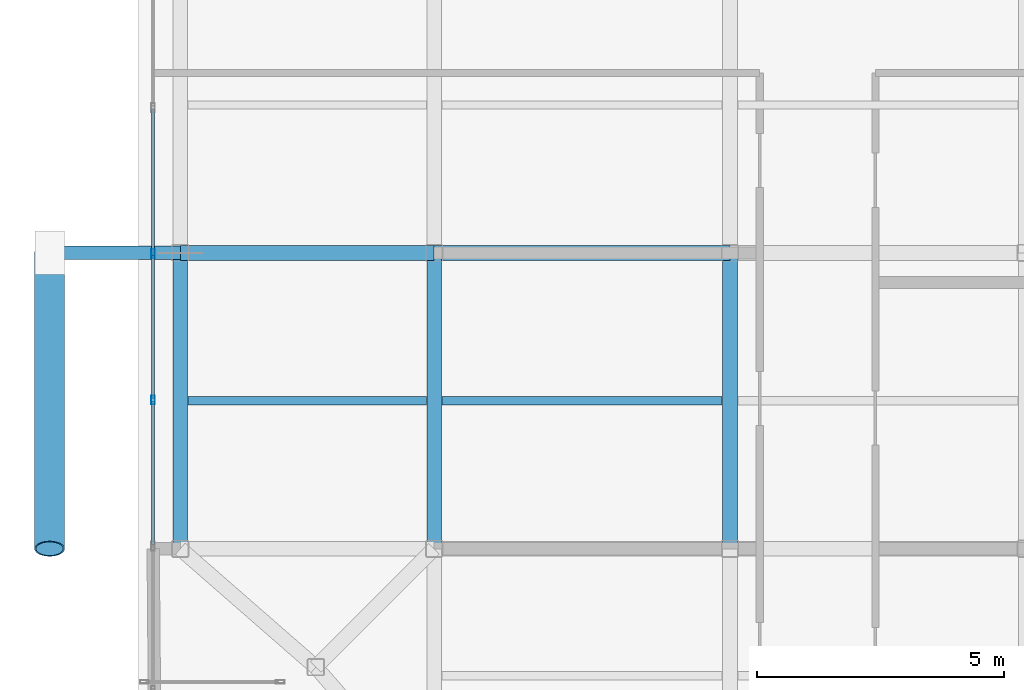
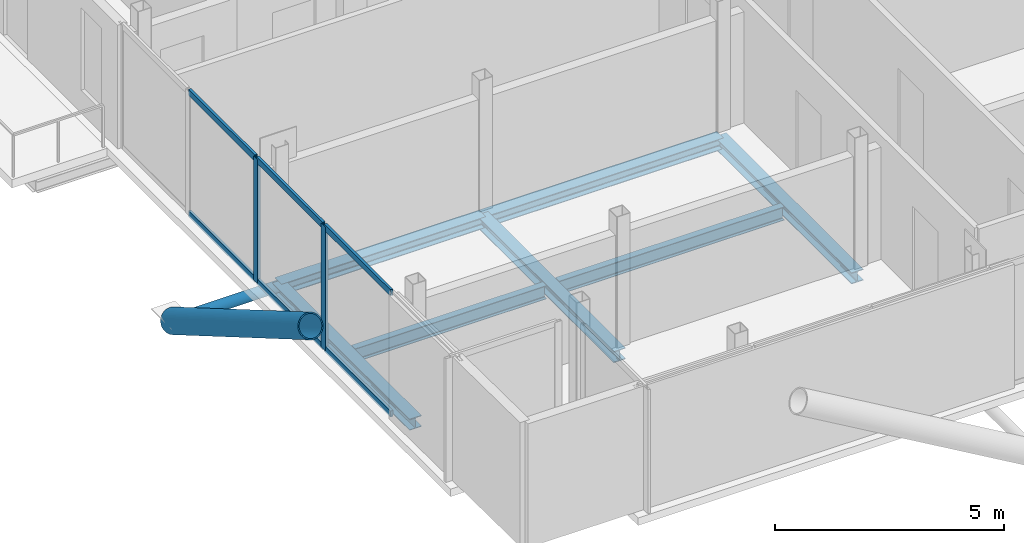
# One storey, part 3 of 18: 10 members, 7 beams, 1 element without a shape of its own.
"""IFC4 building model written with IfcOpenShell, lengths in metres."""

from ifc_helpers import new_model, si_unit, direction, frame, origin, origin_2d, place, context, subcontext, project, spatial, hollow_rectangle, hollow_circle, i_section, extrude, material, layer, layer_set, material_profile, profile_set, type_object, element, aggregate, save


model = new_model("IFC4")

# Units and contexts
model_context = context("Model", 3, precision=1e-05, world=origin(), true_north=direction((0.0, 1.0)))
body_context = subcontext(model_context, "Body", "Model", "MODEL_VIEW")
ifc_project = project(units=[si_unit("LENGTHUNIT", "METRE"), si_unit("AREAUNIT", "SQUARE_METRE"), si_unit("VOLUMEUNIT", "CUBIC_METRE"), si_unit("PLANEANGLEUNIT", "RADIAN"), si_unit("MASSUNIT", "GRAM", prefix="KILO"), si_unit("THERMODYNAMICTEMPERATUREUNIT", "KELVIN"), si_unit("POWERUNIT", "WATT")], contexts=[model_context])

# Site, building, storey
site_placement = place(None, origin())
site = spatial("IfcSite", under=ifc_project, at=site_placement, CompositionType="ELEMENT")
building_placement = place(site_placement, origin())
building = spatial("IfcBuilding", under=site, at=building_placement, Name="Svarakhadi Broadcast Tower", CompositionType="ELEMENT")
storey_placement = place(building_placement, frame((0.0, 0.0, 288.699951171875)))
storey = spatial("IfcBuildingStorey", under=building, at=storey_placement, Name="L73", CompositionType="ELEMENT", Elevation=288.699951171875)

# Beams
ifc_material_1 = material(Name="Steel S355J2 (IS 2062 E350C)", Category="steel")
ifc_material_profile_1 = material_profile(ifc_material_1, i_section(OverallWidth=0.169921875, OverallDepth=0.360107421875, WebThickness=0.008056640625, FlangeThickness=0.0126953125, FilletRadius=0.01806640625, at=origin_2d()), Name="NPB 360x170x57")
ifc_profile_set_1 = profile_set([ifc_material_profile_1], Name="Steel S355J2 (IS 2062 E350C)")
beam_type_1 = type_object("IfcBeamType", Name="Beam_NPB360", PredefinedType="BEAM", material=ifc_profile_set_1)
beam_1_placement = place(storey_placement, frame((1.010009765625, 9.0, -0.3798828125), z_axis=(1.0, 0.0, 0.0), x_axis=(0.0, 1.0, 0.0)))
element("IfcBeam", 1, at=beam_1_placement, inside=storey, type_object=beam_type_1, Name="L73 Secondary Composite Beam SB001", PredefinedType="BEAM", context=body_context, shape_type="SweptSolid", body=[
    extrude(i_section(OverallWidth=0.169921875, OverallDepth=0.360107421875, WebThickness=0.008056640625, FlangeThickness=0.0126953125, FilletRadius=0.01806640625, at=origin_2d()), origin(), (0.0, 0.0, 1.0), 4.830078125),
])
beam_2_placement = place(storey_placement, frame((6.159912109375, 9.0, -0.3798828125), z_axis=(1.0, 0.0, 0.0), x_axis=(0.0, 1.0, 0.0)))
element("IfcBeam", 2, at=beam_2_placement, inside=storey, type_object=beam_type_1, Name="L73 Secondary Composite Beam SB005", PredefinedType="BEAM", context=body_context, shape_type="SweptSolid", body=[
    extrude(i_section(OverallWidth=0.169921875, OverallDepth=0.360107421875, WebThickness=0.008056640625, FlangeThickness=0.0126953125, FilletRadius=0.01806640625, at=origin_2d()), origin(), (0.0, 0.0, 1.0), 5.68017578125),
])

# Curtain wall, members
ifc_material_2 = material(Name="Anodised Bronze Aluminium AA 6063-T6", Category="aluminium")
ifc_layer = layer(ifc_material_2, 0.179931640625)
ifc_layer_set = layer_set([ifc_layer], Name="Anodised Bronze Aluminium AA 6063-T6")
curtain_wall_type = type_object("IfcCurtainWallType", Name="CW_Sys_05", PredefinedType="NOTDEFINED", material=ifc_layer_set)
curtain_wall_placement = place(storey_placement, origin())
curtain_wall = element("IfcCurtainWall", 3, at=curtain_wall_placement, inside=storey, type_object=curtain_wall_type, Name="L73 West Curtain Wall 02", PredefinedType="NOTDEFINED")
ifc_material_profile_2 = material_profile(ifc_material_2, hollow_rectangle(XDim=0.070068359375, YDim=0.179931640625, WallThickness=0.005615234375, at=origin_2d()), Name="ALU MULLION 180x70x6")
ifc_profile_set_2 = profile_set([ifc_material_profile_2], Name="Anodised Bronze Aluminium AA 6063-T6")
member_type_1 = type_object("IfcMemberType", Name="CW_Sys_05_Mul", PredefinedType="MULLION", material=ifc_profile_set_2)
member_1_placement = place(storey_placement, frame((0.300048828125, 9.01806640625, 0.0), z_axis=(0.0, 0.0, 1.0), x_axis=(-1.0, 0.0, 0.0)))
member_1 = element("IfcMember", 4, at=member_1_placement, type_object=member_type_1, Name="CW-05 mullion 3", PredefinedType="MULLION", context=body_context, shape_type="SweptSolid", body=[
    extrude(hollow_rectangle(XDim=0.070068359375, YDim=0.179931640625, WallThickness=0.005615234375, at=origin_2d()), origin(), (0.0, 0.0, 1.0), 3.300048828125),
])
member_2_placement = place(storey_placement, frame((0.300048828125, 11.98193359375, 0.0), z_axis=(0.0, 0.0, 1.0), x_axis=(-1.0, 0.0, 0.0)))
member_2 = element("IfcMember", 5, at=member_2_placement, type_object=member_type_1, Name="CW-05 mullion 4", PredefinedType="MULLION", context=body_context, shape_type="SweptSolid", body=[
    extrude(hollow_rectangle(XDim=0.070068359375, YDim=0.179931640625, WallThickness=0.005615234375, at=origin_2d()), origin(), (0.0, 0.0, 1.0), 3.300048828125),
])
ifc_material_profile_3 = material_profile(ifc_material_2, hollow_rectangle(XDim=0.06494140625, YDim=0.1650390625, WallThickness=0.0048828125, at=origin_2d()), Name="ALU TRANSOM 165x65x5")
ifc_profile_set_3 = profile_set([ifc_material_profile_3], Name="Anodised Bronze Aluminium AA 6063-T6")
member_type_2 = type_object("IfcMemberType", Name="CW_Sys_05_Trn", PredefinedType="USERDEFINED", material=ifc_profile_set_3)
member_3_placement = place(storey_placement, frame((0.300048828125, 6.089111328125, 0.032470703125), z_axis=(0.0, 1.0, 0.0), x_axis=(-1.0, 0.0, 0.0)))
member_3 = element("IfcMember", 6, at=member_3_placement, type_object=member_type_2, Name="CW-05 transom 2.1", ObjectType="TRANSOM", PredefinedType="USERDEFINED", context=body_context, shape_type="SweptSolid", body=[
    extrude(hollow_rectangle(XDim=0.06494140625, YDim=0.1650390625, WallThickness=0.0048828125, at=origin_2d()), origin(), (0.0, 0.0, 1.0), 2.893798828125),
])
member_4_placement = place(storey_placement, frame((0.300048828125, 6.089111328125, 3.267578125), z_axis=(0.0, 1.0, 0.0), x_axis=(-1.0, 0.0, 0.0)))
member_4 = element("IfcMember", 7, at=member_4_placement, type_object=member_type_2, Name="CW-05 transom 2.2", ObjectType="TRANSOM", PredefinedType="USERDEFINED", context=body_context, shape_type="SweptSolid", body=[
    extrude(hollow_rectangle(XDim=0.06494140625, YDim=0.1650390625, WallThickness=0.0048828125, at=origin_2d()), origin(), (0.0, 0.0, 1.0), 2.893798828125),
])
member_5_placement = place(storey_placement, frame((0.300048828125, 9.052978515625, 0.032470703125), z_axis=(0.0, 1.0, 0.0), x_axis=(-1.0, 0.0, 0.0)))
member_5 = element("IfcMember", 8, at=member_5_placement, type_object=member_type_2, Name="CW-05 transom 3.1", ObjectType="TRANSOM", PredefinedType="USERDEFINED", context=body_context, shape_type="SweptSolid", body=[
    extrude(hollow_rectangle(XDim=0.06494140625, YDim=0.1650390625, WallThickness=0.0048828125, at=origin_2d()), origin(), (0.0, 0.0, 1.0), 2.89404296875),
])
member_6_placement = place(storey_placement, frame((0.300048828125, 9.052978515625, 3.267578125), z_axis=(0.0, 1.0, 0.0), x_axis=(-1.0, 0.0, 0.0)))
member_6 = element("IfcMember", 9, at=member_6_placement, type_object=member_type_2, Name="CW-05 transom 3.2", ObjectType="TRANSOM", PredefinedType="USERDEFINED", context=body_context, shape_type="SweptSolid", body=[
    extrude(hollow_rectangle(XDim=0.06494140625, YDim=0.1650390625, WallThickness=0.0048828125, at=origin_2d()), origin(), (0.0, 0.0, 1.0), 2.89404296875),
])
member_7_placement = place(storey_placement, frame((0.300048828125, 12.01708984375, 0.032470703125), z_axis=(0.0, 1.0, 0.0), x_axis=(-1.0, 0.0, 0.0)))
member_7 = element("IfcMember", 10, at=member_7_placement, type_object=member_type_2, Name="CW-05 transom 4.1", ObjectType="TRANSOM", PredefinedType="USERDEFINED", context=body_context, shape_type="SweptSolid", body=[
    extrude(hollow_rectangle(XDim=0.06494140625, YDim=0.1650390625, WallThickness=0.0048828125, at=origin_2d()), origin(), (0.0, 0.0, 1.0), 2.893798828125),
])
member_8_placement = place(storey_placement, frame((0.300048828125, 12.01708984375, 3.267578125), z_axis=(0.0, 1.0, 0.0), x_axis=(-1.0, 0.0, 0.0)))
member_8 = element("IfcMember", 11, at=member_8_placement, type_object=member_type_2, Name="CW-05 transom 4.2", ObjectType="TRANSOM", PredefinedType="USERDEFINED", context=body_context, shape_type="SweptSolid", body=[
    extrude(hollow_rectangle(XDim=0.06494140625, YDim=0.1650390625, WallThickness=0.0048828125, at=origin_2d()), origin(), (0.0, 0.0, 1.0), 2.893798828125),
])
aggregate(curtain_wall, [member_1, member_2, member_3, member_4, member_5, member_6, member_7, member_8])

# Members
ifc_material_3 = material(Name="Steel S460ML (IS 2062 E450BR)", Category="steel")
ifc_material_profile_4 = material_profile(ifc_material_3, hollow_circle(Radius=0.304931640625, WallThickness=0.030029296875, at=origin_2d()), Name="CHS 610x30")
ifc_profile_set_4 = profile_set([ifc_material_profile_4], Name="Steel S460ML (IS 2062 E450BR)")
member_type_3 = type_object("IfcMemberType", Name="Exo_Brace_CHS610", PredefinedType="BRACE", material=ifc_profile_set_4)
member_9_placement = place(storey_placement, frame((-1.800048828125, 12.0, -0.33642578125), z_axis=(0.0, -0.863778900898, 0.503871025524), x_axis=(1.0, 0.0, 0.0)))
element("IfcMember", 12, at=member_9_placement, inside=storey, type_object=member_type_3, Name="L73 Exposed Bronze Exoskeleton Diagonal W03", PredefinedType="BRACE", context=body_context, shape_type="SweptSolid", body=[
    extrude(hollow_circle(Radius=0.304931640625, WallThickness=0.030029296875, at=origin_2d()), origin(), (0.0, 0.0, 1.0), 6.9462890625),
])
ifc_material_profile_5 = material_profile(ifc_material_3, hollow_circle(Radius=0.136474609375, WallThickness=0.012451171875, at=origin_2d()), Name="CHS 273x12.5")
ifc_profile_set_5 = profile_set([ifc_material_profile_5], Name="Steel S460ML (IS 2062 E450BR)")
member_type_4 = type_object("IfcMemberType", Name="Exo_Radial_Strut_Z3", PredefinedType="STRUT", material=ifc_profile_set_5)
member_10_placement = place(storey_placement, frame((-1.800048828125, 12.0, -0.33642578125), z_axis=(1.0, 0.0, 0.0), x_axis=(0.0, 1.0, 0.0)))
element("IfcMember", 13, at=member_10_placement, inside=storey, type_object=member_type_4, Name="L73 Exoskeleton Radial Tie Strut W02", PredefinedType="STRUT", context=body_context, shape_type="SweptSolid", body=[
    extrude(hollow_circle(Radius=0.136474609375, WallThickness=0.012451171875, at=origin_2d()), origin(), (0.0, 0.0, 1.0), 2.650146484375),
])

# Beams
ifc_material_profile_6 = material_profile(ifc_material_1, i_section(OverallWidth=0.300048828125, OverallDepth=0.300048828125, WebThickness=0.010986328125, FlangeThickness=0.01904296875, FilletRadius=0.027099609375, at=origin_2d()), Name="WPB 300x300x117")
ifc_profile_set_6 = profile_set([ifc_material_profile_6], Name="Steel S355J2 (IS 2062 E350C)")
beam_type_2 = type_object("IfcBeamType", Name="Girder_WPB300", PredefinedType="USERDEFINED", material=ifc_profile_set_6)
beam_3_placement = place(storey_placement, frame((0.85009765625, 12.0, -0.349853515625), z_axis=(1.0, 0.0, 0.0), x_axis=(0.0, 1.0, 0.0)))
element("IfcBeam", 14, at=beam_3_placement, inside=storey, type_object=beam_type_2, Name="L73 Primary E-W Girder G013", ObjectType="GIRDER", PredefinedType="USERDEFINED", context=body_context, shape_type="SweptSolid", body=[
    extrude(i_section(OverallWidth=0.300048828125, OverallDepth=0.300048828125, WebThickness=0.010986328125, FlangeThickness=0.01904296875, FilletRadius=0.027099609375, at=origin_2d()), origin(), (0.0, 0.0, 1.0), 5.14990234375),
])
for number, where, z_axis, x_axis, name in (
    (15, (6.0, 12.0, -0.349853515625), (1.0, 0.0, 0.0), (0.0, 1.0, 0.0), "L73 Primary E-W Girder G014"),
    (16, (0.85009765625, 6.0, -0.349853515625), (0.0, 1.0, 0.0), (-1.0, 0.0, 0.0), "L73 Primary N-S Girder G026"),
    (17, (6.0, 6.0, -0.349853515625), (0.0, 1.0, 0.0), (-1.0, 0.0, 0.0), "L73 Primary N-S Girder G030"),
    (18, (12.0, 6.0, -0.349853515625), (0.0, 1.0, 0.0), (-1.0, 0.0, 0.0), "L73 Primary N-S Girder G034"),
):
    element("IfcBeam", number, at=place(storey_placement, frame(where, z_axis=z_axis, x_axis=x_axis)), inside=storey, type_object=beam_type_2, Name=name, ObjectType="GIRDER", PredefinedType="USERDEFINED", context=body_context, shape_type="SweptSolid", body=[
        extrude(i_section(OverallWidth=0.300048828125, OverallDepth=0.300048828125, WebThickness=0.010986328125, FlangeThickness=0.01904296875, FilletRadius=0.027099609375, at=origin_2d()), origin(), (0.0, 0.0, 1.0), 6.0),
    ])

save(model, "model.ifc")
